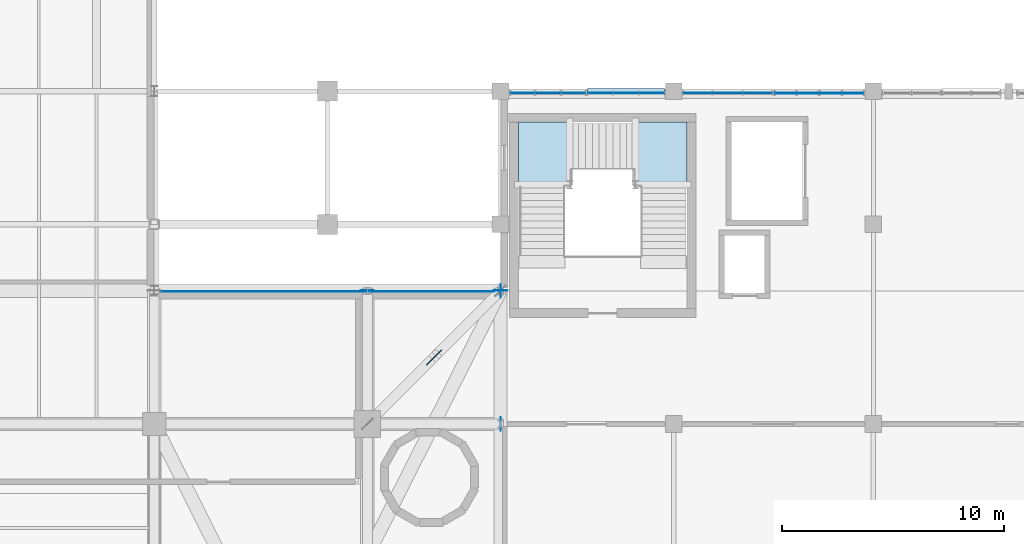
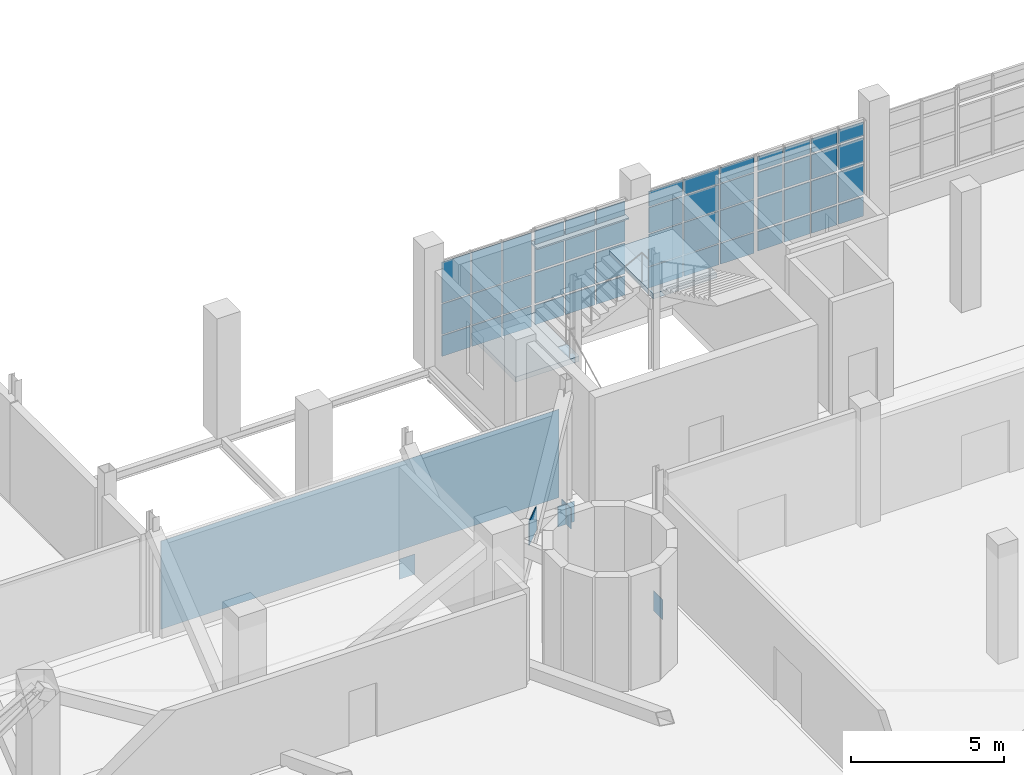
# One storey, part 96 of 127: 56 plates, 2 slabs, 5 elements without a shape of their own.
"""IFC4 building model written with IfcOpenShell, lengths in metres."""

from ifc_helpers import new_model, si_unit, derived_unit, direction, frame, origin, origin_2d, place, context, subcontext, project, spatial, polyline, rectangle, outline, extrude, material, layer, layer_set, type_object, element, aggregate, save


model = new_model("IFC4")

# Units and contexts
model_context = context("Model", 3, precision=1e-05, world=origin(), true_north=direction((0.0, 1.0)))
body_context = subcontext(model_context, "Body", "Model", "MODEL_VIEW")
ifc_project = project(units=[si_unit("LENGTHUNIT", "METRE"), si_unit("AREAUNIT", "SQUARE_METRE"), si_unit("VOLUMEUNIT", "CUBIC_METRE"), si_unit("PLANEANGLEUNIT", "RADIAN"), si_unit("MASSUNIT", "GRAM", prefix="KILO"), derived_unit("THERMALTRANSMITTANCEUNIT", [(si_unit("POWERUNIT", "WATT"), 1), (si_unit("LENGTHUNIT", "METRE"), -2), (si_unit("THERMODYNAMICTEMPERATUREUNIT", "KELVIN"), -1)])], contexts=[model_context])

# Site, building, storey
site_placement = place(None, origin())
site = spatial("IfcSite", under=ifc_project, at=site_placement, CompositionType="ELEMENT")
building_placement = place(site_placement, origin())
building = spatial("IfcBuilding", under=site, at=building_placement, Name="Nallur Shell Playhouse", CompositionType="ELEMENT")
storey_placement = place(building_placement, frame((0.0, 0.0, 5.39990234375)))
storey = spatial("IfcBuildingStorey", under=building, at=storey_placement, Name="L02", CompositionType="ELEMENT", Elevation=5.39990234375)

# Plates
ifc_material_1 = material(Name="Steel E350", Category="steel")
ifc_layer_1 = layer(ifc_material_1, 0.02001953125)
ifc_layer_set_1 = layer_set([ifc_layer_1], Name="Steel E350")
plate_type_1 = type_object("IfcPlateType", Name="PT-ENDCAP-20", PredefinedType="SHEET", material=ifc_layer_set_1)
plate_1_placement = place(storey_placement, frame((118.610107421875, 41.0, -1.080078125), z_axis=(0.0, 0.0, 1.0), x_axis=(1.0, 0.0, 0.0)))
element("IfcPlate", 1, at=plate_1_placement, inside=storey, type_object=plate_type_1, Name="Hollow end cap EC-TT-2-BC1", PredefinedType="SHEET", context=body_context, shape_type="SweptSolid", body=[
    extrude(rectangle(XDim=0.02001953125, YDim=0.60009765625, at=origin_2d()), origin(), (0.0, 0.0, 1.0), 0.800048828125),
])
plate_2_placement = place(storey_placement, frame((112.60009765625, 47.010009765625, -1.080078125), z_axis=(0.0, 0.0, 1.0), x_axis=(1.0, 0.0, 0.0)))
element("IfcPlate", 2, at=plate_2_placement, inside=storey, type_object=plate_type_1, Name="Hollow end cap EC-TT-8-BC1", PredefinedType="SHEET", context=body_context, shape_type="SweptSolid", body=[
    extrude(rectangle(XDim=0.60009765625, YDim=0.02001953125, at=origin_2d()), origin(), (0.0, 0.0, 1.0), 0.800048828125),
])
plate_3_placement = place(storey_placement, frame((118.610107421875, 47.0, -1.08984375), z_axis=(0.0, 0.0, 1.0), x_axis=(1.0, 0.0, 0.0)))
element("IfcPlate", 3, at=plate_3_placement, inside=storey, type_object=plate_type_1, Name="Hollow end cap EC-GB-L02-NB", PredefinedType="SHEET", context=body_context, shape_type="SweptSolid", body=[
    extrude(rectangle(XDim=0.02001953125, YDim=0.6201171875, at=origin_2d()), origin(), (0.0, 0.0, 1.0), 0.820068359375),
])
plate_4_placement = place(storey_placement, frame((118.60009765625, 47.010009765625, -1.08984375), z_axis=(0.0, 0.0, 1.0), x_axis=(1.0, 0.0, 0.0)))
element("IfcPlate", 4, at=plate_4_placement, inside=storey, type_object=plate_type_1, Name="Hollow end cap EC-GB-L02-EB", PredefinedType="SHEET", context=body_context, shape_type="SweptSolid", body=[
    extrude(rectangle(XDim=0.6201171875, YDim=0.02001953125, at=origin_2d()), origin(), (0.0, 0.0, 1.0), 0.820068359375),
])

# Curtain wall, plates
ifc_material_2 = material(Name="Anodised Aluminium Double-Glazed Facade System", Category="aluminium")
ifc_layer_2 = layer(ifc_material_2, 0.172119140625)
ifc_layer_set_2 = layer_set([ifc_layer_2], Name="Anodised Aluminium Double-Glazed Facade System")
curtain_wall_type_1 = type_object("IfcCurtainWallType", Name="CW-UNIT-27", PredefinedType="NOTDEFINED", material=ifc_layer_set_2)
curtain_wall_1_placement = place(storey_placement, origin())
curtain_wall_1 = element("IfcCurtainWall", 5, at=curtain_wall_1_placement, inside=storey, type_object=curtain_wall_type_1, Name="Unitised curtain wall CW-027 (L02)", PredefinedType="NOTDEFINED")
ifc_material_3 = material(Name="Solar-Control Low-E Laminated Insulating Glass", Category="glass")
ifc_layer_3 = layer(ifc_material_3, 0.030029296875)
ifc_layer_set_3 = layer_set([ifc_layer_3], Name="Solar-Control Low-E Laminated Insulating Glass")
plate_type_2 = type_object("IfcPlateType", Name="PT-GLZ-03", PredefinedType="CURTAIN_PANEL", material=ifc_layer_set_3)
plate_5_placement = place(storey_placement, frame((119.587158203125, 55.909912109375, 0.05712890625), z_axis=(0.0, 0.0, 1.0), x_axis=(1.0, 0.0, 0.0)))
plate_5 = element("IfcPlate", 6, at=plate_5_placement, type_object=plate_type_2, Name="CW-27 panel 1.1", PredefinedType="CURTAIN_PANEL", context=body_context, shape_type="SweptSolid", body=[
    extrude(rectangle(XDim=1.07421875, YDim=0.030029296875, at=origin_2d()), origin(), (0.0, 0.0, 1.0), 0.818603515625),
])
plate_6_placement = place(storey_placement, frame((119.587158203125, 55.909912109375, 0.92431640625), z_axis=(0.0, 0.0, 1.0), x_axis=(1.0, 0.0, 0.0)))
plate_6 = element("IfcPlate", 7, at=plate_6_placement, type_object=plate_type_2, Name="CW-27 panel 1.2", PredefinedType="CURTAIN_PANEL", context=body_context, shape_type="SweptSolid", body=[
    extrude(rectangle(XDim=1.07421875, YDim=0.030029296875, at=origin_2d()), origin(), (0.0, 0.0, 1.0), 1.215087890625),
])
plate_7_placement = place(storey_placement, frame((119.587158203125, 55.909912109375, 2.1884765625), z_axis=(0.0, 0.0, 1.0), x_axis=(1.0, 0.0, 0.0)))
plate_7 = element("IfcPlate", 8, at=plate_7_placement, type_object=plate_type_2, Name="CW-27 panel 1.3", PredefinedType="CURTAIN_PANEL", context=body_context, shape_type="SweptSolid", body=[
    extrude(rectangle(XDim=1.07421875, YDim=0.030029296875, at=origin_2d()), origin(), (0.0, 0.0, 1.0), 1.619384765625),
])
plate_8_placement = place(storey_placement, frame((120.739013671875, 55.909912109375, 0.05712890625), z_axis=(0.0, 0.0, 1.0), x_axis=(1.0, 0.0, 0.0)))
plate_8 = element("IfcPlate", 9, at=plate_8_placement, type_object=plate_type_2, Name="CW-27 panel 2.1", PredefinedType="CURTAIN_PANEL", context=body_context, shape_type="SweptSolid", body=[
    extrude(rectangle(XDim=1.111572265625, YDim=0.030029296875, at=origin_2d()), origin(), (0.0, 0.0, 1.0), 0.818603515625),
])
plate_9_placement = place(storey_placement, frame((120.739013671875, 55.909912109375, 0.92431640625), z_axis=(0.0, 0.0, 1.0), x_axis=(1.0, 0.0, 0.0)))
plate_9 = element("IfcPlate", 10, at=plate_9_placement, type_object=plate_type_2, Name="CW-27 panel 2.2", PredefinedType="CURTAIN_PANEL", context=body_context, shape_type="SweptSolid", body=[
    extrude(rectangle(XDim=1.111572265625, YDim=0.030029296875, at=origin_2d()), origin(), (0.0, 0.0, 1.0), 1.215087890625),
])
plate_10_placement = place(storey_placement, frame((120.739013671875, 55.909912109375, 2.1884765625), z_axis=(0.0, 0.0, 1.0), x_axis=(1.0, 0.0, 0.0)))
plate_10 = element("IfcPlate", 11, at=plate_10_placement, type_object=plate_type_2, Name="CW-27 panel 2.3", PredefinedType="CURTAIN_PANEL", context=body_context, shape_type="SweptSolid", body=[
    extrude(rectangle(XDim=1.111572265625, YDim=0.030029296875, at=origin_2d()), origin(), (0.0, 0.0, 1.0), 1.619384765625),
])
plate_11_placement = place(storey_placement, frame((121.890869140625, 55.909912109375, 0.05712890625), z_axis=(0.0, 0.0, 1.0), x_axis=(1.0, 0.0, 0.0)))
plate_11 = element("IfcPlate", 12, at=plate_11_placement, type_object=plate_type_2, Name="CW-27 panel 3.1", PredefinedType="CURTAIN_PANEL", context=body_context, shape_type="SweptSolid", body=[
    extrude(rectangle(XDim=1.07421875, YDim=0.030029296875, at=origin_2d()), origin(), (0.0, 0.0, 1.0), 0.818603515625),
])
plate_12_placement = place(storey_placement, frame((121.890869140625, 55.909912109375, 0.92431640625), z_axis=(0.0, 0.0, 1.0), x_axis=(1.0, 0.0, 0.0)))
plate_12 = element("IfcPlate", 13, at=plate_12_placement, type_object=plate_type_2, Name="CW-27 panel 3.2", PredefinedType="CURTAIN_PANEL", context=body_context, shape_type="SweptSolid", body=[
    extrude(rectangle(XDim=1.07421875, YDim=0.030029296875, at=origin_2d()), origin(), (0.0, 0.0, 1.0), 1.215087890625),
])
plate_13_placement = place(storey_placement, frame((121.890869140625, 55.909912109375, 2.1884765625), z_axis=(0.0, 0.0, 1.0), x_axis=(1.0, 0.0, 0.0)))
plate_13 = element("IfcPlate", 14, at=plate_13_placement, type_object=plate_type_2, Name="CW-27 panel 3.3", PredefinedType="CURTAIN_PANEL", context=body_context, shape_type="SweptSolid", body=[
    extrude(rectangle(XDim=1.07421875, YDim=0.030029296875, at=origin_2d()), origin(), (0.0, 0.0, 1.0), 1.619384765625),
])
aggregate(curtain_wall_1, [plate_5, plate_6, plate_7, plate_8, plate_9, plate_10, plate_11, plate_12, plate_13])

ifc_layer_4 = layer(ifc_material_2, 0.176025390625)
ifc_layer_set_4 = layer_set([ifc_layer_4], Name="Anodised Aluminium Double-Glazed Facade System")
curtain_wall_type_2 = type_object("IfcCurtainWallType", Name="CW-UNIT-28", PredefinedType="NOTDEFINED", material=ifc_layer_set_4)
curtain_wall_2_placement = place(storey_placement, origin())
curtain_wall_2 = element("IfcCurtainWall", 15, at=curtain_wall_2_placement, inside=storey, type_object=curtain_wall_type_2, Name="Unitised curtain wall CW-028 (L02)", PredefinedType="NOTDEFINED")
ifc_layer_5 = layer(ifc_material_3, 0.031982421875)
ifc_layer_set_5 = layer_set([ifc_layer_5], Name="Solar-Control Low-E Laminated Insulating Glass")
plate_type_3 = type_object("IfcPlateType", Name="PT-GLZ-04", PredefinedType="CURTAIN_PANEL", material=ifc_layer_set_5)
plate_14_placement = place(storey_placement, frame((123.106689453125, 55.909912109375, 0.092041015625), z_axis=(0.0, 0.0, 1.0), x_axis=(1.0, 0.0, 0.0)))
plate_14 = element("IfcPlate", 16, at=plate_14_placement, type_object=plate_type_3, Name="CW-28 panel 1.1", PredefinedType="CURTAIN_PANEL", context=body_context, shape_type="SweptSolid", body=[
    extrude(rectangle(XDim=1.089111328125, YDim=0.031982421875, at=origin_2d()), origin(), (0.0, 0.0, 1.0), 0.76611328125),
])
plate_15_placement = place(storey_placement, frame((123.106689453125, 55.909912109375, 0.94189453125), z_axis=(0.0, 0.0, 1.0), x_axis=(1.0, 0.0, 0.0)))
plate_15 = element("IfcPlate", 17, at=plate_15_placement, type_object=plate_type_3, Name="CW-28 panel 1.2", PredefinedType="CURTAIN_PANEL", context=body_context, shape_type="SweptSolid", body=[
    extrude(rectangle(XDim=1.089111328125, YDim=0.031982421875, at=origin_2d()), origin(), (0.0, 0.0, 1.0), 1.214111328125),
])
plate_16_placement = place(storey_placement, frame((123.106689453125, 55.909912109375, 2.240234375), z_axis=(0.0, 0.0, 1.0), x_axis=(1.0, 0.0, 0.0)))
plate_16 = element("IfcPlate", 18, at=plate_16_placement, type_object=plate_type_3, Name="CW-28 panel 1.3", PredefinedType="CURTAIN_PANEL", context=body_context, shape_type="SweptSolid", body=[
    extrude(rectangle(XDim=1.089111328125, YDim=0.031982421875, at=origin_2d()), origin(), (0.0, 0.0, 1.0), 0.962890625),
])
plate_17_placement = place(storey_placement, frame((123.106689453125, 55.909912109375, 3.287109375), z_axis=(0.0, 0.0, 1.0), x_axis=(1.0, 0.0, 0.0)))
plate_17 = element("IfcPlate", 19, at=plate_17_placement, type_object=plate_type_3, Name="CW-28 panel 1.4", PredefinedType="CURTAIN_PANEL", context=body_context, shape_type="SweptSolid", body=[
    extrude(rectangle(XDim=1.089111328125, YDim=0.031982421875, at=origin_2d()), origin(), (0.0, 0.0, 1.0), 0.5458984375),
])
plate_18_placement = place(storey_placement, frame((124.260986328125, 55.909912109375, 0.092041015625), z_axis=(0.0, 0.0, 1.0), x_axis=(1.0, 0.0, 0.0)))
plate_18 = element("IfcPlate", 20, at=plate_18_placement, type_object=plate_type_3, Name="CW-28 panel 2.1", PredefinedType="CURTAIN_PANEL", context=body_context, shape_type="SweptSolid", body=[
    extrude(rectangle(XDim=1.12158203125, YDim=0.031982421875, at=origin_2d()), origin(), (0.0, 0.0, 1.0), 0.76611328125),
])
plate_19_placement = place(storey_placement, frame((124.260986328125, 55.909912109375, 0.94189453125), z_axis=(0.0, 0.0, 1.0), x_axis=(1.0, 0.0, 0.0)))
plate_19 = element("IfcPlate", 21, at=plate_19_placement, type_object=plate_type_3, Name="CW-28 panel 2.2", PredefinedType="CURTAIN_PANEL", context=body_context, shape_type="SweptSolid", body=[
    extrude(rectangle(XDim=1.12158203125, YDim=0.031982421875, at=origin_2d()), origin(), (0.0, 0.0, 1.0), 1.214111328125),
])
plate_20_placement = place(storey_placement, frame((124.260986328125, 55.909912109375, 2.240234375), z_axis=(0.0, 0.0, 1.0), x_axis=(1.0, 0.0, 0.0)))
plate_20 = element("IfcPlate", 22, at=plate_20_placement, type_object=plate_type_3, Name="CW-28 panel 2.3", PredefinedType="CURTAIN_PANEL", context=body_context, shape_type="SweptSolid", body=[
    extrude(rectangle(XDim=1.12158203125, YDim=0.031982421875, at=origin_2d()), origin(), (0.0, 0.0, 1.0), 0.962890625),
])
plate_21_placement = place(storey_placement, frame((124.260986328125, 55.909912109375, 3.287109375), z_axis=(0.0, 0.0, 1.0), x_axis=(1.0, 0.0, 0.0)))
plate_21 = element("IfcPlate", 23, at=plate_21_placement, type_object=plate_type_3, Name="CW-28 panel 2.4", PredefinedType="CURTAIN_PANEL", context=body_context, shape_type="SweptSolid", body=[
    extrude(rectangle(XDim=1.12158203125, YDim=0.031982421875, at=origin_2d()), origin(), (0.0, 0.0, 1.0), 0.5458984375),
])
plate_22_placement = place(storey_placement, frame((125.41552734375, 55.909912109375, 0.092041015625), z_axis=(0.0, 0.0, 1.0), x_axis=(1.0, 0.0, 0.0)))
plate_22 = element("IfcPlate", 24, at=plate_22_placement, type_object=plate_type_3, Name="CW-28 panel 3.1", PredefinedType="CURTAIN_PANEL", context=body_context, shape_type="SweptSolid", body=[
    extrude(rectangle(XDim=1.089111328125, YDim=0.031982421875, at=origin_2d()), origin(), (0.0, 0.0, 1.0), 0.76611328125),
])
plate_23_placement = place(storey_placement, frame((125.41552734375, 55.909912109375, 0.94189453125), z_axis=(0.0, 0.0, 1.0), x_axis=(1.0, 0.0, 0.0)))
plate_23 = element("IfcPlate", 25, at=plate_23_placement, type_object=plate_type_3, Name="CW-28 panel 3.2", PredefinedType="CURTAIN_PANEL", context=body_context, shape_type="SweptSolid", body=[
    extrude(rectangle(XDim=1.089111328125, YDim=0.031982421875, at=origin_2d()), origin(), (0.0, 0.0, 1.0), 1.214111328125),
])
plate_24_placement = place(storey_placement, frame((125.41552734375, 55.909912109375, 2.240234375), z_axis=(0.0, 0.0, 1.0), x_axis=(1.0, 0.0, 0.0)))
plate_24 = element("IfcPlate", 26, at=plate_24_placement, type_object=plate_type_3, Name="CW-28 panel 3.3", PredefinedType="CURTAIN_PANEL", context=body_context, shape_type="SweptSolid", body=[
    extrude(rectangle(XDim=1.089111328125, YDim=0.031982421875, at=origin_2d()), origin(), (0.0, 0.0, 1.0), 0.962890625),
])
plate_25_placement = place(storey_placement, frame((125.41552734375, 55.909912109375, 3.287109375), z_axis=(0.0, 0.0, 1.0), x_axis=(1.0, 0.0, 0.0)))
plate_25 = element("IfcPlate", 27, at=plate_25_placement, type_object=plate_type_3, Name="CW-28 panel 3.4", PredefinedType="CURTAIN_PANEL", context=body_context, shape_type="SweptSolid", body=[
    extrude(rectangle(XDim=1.089111328125, YDim=0.031982421875, at=origin_2d()), origin(), (0.0, 0.0, 1.0), 0.5458984375),
])
aggregate(curtain_wall_2, [plate_14, plate_15, plate_16, plate_17, plate_18, plate_19, plate_20, plate_21, plate_22, plate_23, plate_24, plate_25])

ifc_layer_6 = layer(ifc_material_2, 0.179931640625)
ifc_layer_set_6 = layer_set([ifc_layer_6], Name="Anodised Aluminium Double-Glazed Facade System")
curtain_wall_type_3 = type_object("IfcCurtainWallType", Name="CW-UNIT-29", PredefinedType="NOTDEFINED", material=ifc_layer_set_6)
curtain_wall_3_placement = place(storey_placement, origin())
curtain_wall_3 = element("IfcCurtainWall", 28, at=curtain_wall_3_placement, inside=storey, type_object=curtain_wall_type_3, Name="Unitised curtain wall CW-029 (L02)", PredefinedType="NOTDEFINED")
ifc_layer_7 = layer(ifc_material_3, 0.033935546875)
ifc_layer_set_7 = layer_set([ifc_layer_7], Name="Solar-Control Low-E Laminated Insulating Glass")
plate_type_4 = type_object("IfcPlateType", Name="PT-GLZ-05", PredefinedType="CURTAIN_PANEL", material=ifc_layer_set_7)
plate_26_placement = place(storey_placement, frame((127.48828125, 55.909912109375, 0.05712890625), z_axis=(0.0, 0.0, 1.0), x_axis=(1.0, 0.0, 0.0)))
plate_26 = element("IfcPlate", 29, at=plate_26_placement, type_object=plate_type_4, Name="CW-29 panel 1.1", PredefinedType="CURTAIN_PANEL", context=body_context, shape_type="SweptSolid", body=[
    extrude(rectangle(XDim=1.2666015625, YDim=0.033935546875, at=origin_2d()), origin(), (0.0, 0.0, 1.0), 0.818603515625),
])
plate_27_placement = place(storey_placement, frame((127.48828125, 55.909912109375, 0.924560546875), z_axis=(0.0, 0.0, 1.0), x_axis=(1.0, 0.0, 0.0)))
plate_27 = element("IfcPlate", 30, at=plate_27_placement, type_object=plate_type_4, Name="CW-29 panel 1.2", PredefinedType="CURTAIN_PANEL", context=body_context, shape_type="SweptSolid", body=[
    extrude(rectangle(XDim=1.2666015625, YDim=0.033935546875, at=origin_2d()), origin(), (0.0, 0.0, 1.0), 1.26611328125),
])
plate_28_placement = place(storey_placement, frame((127.48828125, 55.909912109375, 2.23974609375), z_axis=(0.0, 0.0, 1.0), x_axis=(1.0, 0.0, 0.0)))
plate_28 = element("IfcPlate", 31, at=plate_28_placement, type_object=plate_type_4, Name="CW-29 panel 1.3", PredefinedType="CURTAIN_PANEL", context=body_context, shape_type="SweptSolid", body=[
    extrude(rectangle(XDim=1.2666015625, YDim=0.033935546875, at=origin_2d()), origin(), (0.0, 0.0, 1.0), 1.010986328125),
])
plate_29_placement = place(storey_placement, frame((127.48828125, 55.909912109375, 3.2998046875), z_axis=(0.0, 0.0, 1.0), x_axis=(1.0, 0.0, 0.0)))
plate_29 = element("IfcPlate", 32, at=plate_29_placement, type_object=plate_type_4, Name="CW-29 panel 1.4", PredefinedType="CURTAIN_PANEL", context=body_context, shape_type="SweptSolid", body=[
    extrude(rectangle(XDim=1.2666015625, YDim=0.033935546875, at=origin_2d()), origin(), (0.0, 0.0, 1.0), 0.598388671875),
])
plate_30_placement = place(storey_placement, frame((128.839111328125, 55.909912109375, 0.05712890625), z_axis=(0.0, 0.0, 1.0), x_axis=(1.0, 0.0, 0.0)))
plate_30 = element("IfcPlate", 33, at=plate_30_placement, type_object=plate_type_4, Name="CW-29 panel 2.1", PredefinedType="CURTAIN_PANEL", context=body_context, shape_type="SweptSolid", body=[
    extrude(rectangle(XDim=1.306640625, YDim=0.033935546875, at=origin_2d()), origin(), (0.0, 0.0, 1.0), 0.818603515625),
])
plate_31_placement = place(storey_placement, frame((128.839111328125, 55.909912109375, 0.924560546875), z_axis=(0.0, 0.0, 1.0), x_axis=(1.0, 0.0, 0.0)))
plate_31 = element("IfcPlate", 34, at=plate_31_placement, type_object=plate_type_4, Name="CW-29 panel 2.2", PredefinedType="CURTAIN_PANEL", context=body_context, shape_type="SweptSolid", body=[
    extrude(rectangle(XDim=1.306640625, YDim=0.033935546875, at=origin_2d()), origin(), (0.0, 0.0, 1.0), 1.26611328125),
])
plate_32_placement = place(storey_placement, frame((128.839111328125, 55.909912109375, 2.23974609375), z_axis=(0.0, 0.0, 1.0), x_axis=(1.0, 0.0, 0.0)))
plate_32 = element("IfcPlate", 35, at=plate_32_placement, type_object=plate_type_4, Name="CW-29 panel 2.3", PredefinedType="CURTAIN_PANEL", context=body_context, shape_type="SweptSolid", body=[
    extrude(rectangle(XDim=1.306640625, YDim=0.033935546875, at=origin_2d()), origin(), (0.0, 0.0, 1.0), 1.010986328125),
])
plate_33_placement = place(storey_placement, frame((128.839111328125, 55.909912109375, 3.2998046875), z_axis=(0.0, 0.0, 1.0), x_axis=(1.0, 0.0, 0.0)))
plate_33 = element("IfcPlate", 36, at=plate_33_placement, type_object=plate_type_4, Name="CW-29 panel 2.4", PredefinedType="CURTAIN_PANEL", context=body_context, shape_type="SweptSolid", body=[
    extrude(rectangle(XDim=1.306640625, YDim=0.033935546875, at=origin_2d()), origin(), (0.0, 0.0, 1.0), 0.598388671875),
])
plate_34_placement = place(storey_placement, frame((130.189697265625, 55.909912109375, 0.05712890625), z_axis=(0.0, 0.0, 1.0), x_axis=(1.0, 0.0, 0.0)))
plate_34 = element("IfcPlate", 37, at=plate_34_placement, type_object=plate_type_4, Name="CW-29 panel 3.1", PredefinedType="CURTAIN_PANEL", context=body_context, shape_type="SweptSolid", body=[
    extrude(rectangle(XDim=1.2666015625, YDim=0.033935546875, at=origin_2d()), origin(), (0.0, 0.0, 1.0), 0.818603515625),
])
plate_35_placement = place(storey_placement, frame((130.189697265625, 55.909912109375, 0.924560546875), z_axis=(0.0, 0.0, 1.0), x_axis=(1.0, 0.0, 0.0)))
plate_35 = element("IfcPlate", 38, at=plate_35_placement, type_object=plate_type_4, Name="CW-29 panel 3.2", PredefinedType="CURTAIN_PANEL", context=body_context, shape_type="SweptSolid", body=[
    extrude(rectangle(XDim=1.2666015625, YDim=0.033935546875, at=origin_2d()), origin(), (0.0, 0.0, 1.0), 1.26611328125),
])
plate_36_placement = place(storey_placement, frame((130.189697265625, 55.909912109375, 2.23974609375), z_axis=(0.0, 0.0, 1.0), x_axis=(1.0, 0.0, 0.0)))
plate_36 = element("IfcPlate", 39, at=plate_36_placement, type_object=plate_type_4, Name="CW-29 panel 3.3", PredefinedType="CURTAIN_PANEL", context=body_context, shape_type="SweptSolid", body=[
    extrude(rectangle(XDim=1.2666015625, YDim=0.033935546875, at=origin_2d()), origin(), (0.0, 0.0, 1.0), 1.010986328125),
])
plate_37_placement = place(storey_placement, frame((130.189697265625, 55.909912109375, 3.2998046875), z_axis=(0.0, 0.0, 1.0), x_axis=(1.0, 0.0, 0.0)))
plate_37 = element("IfcPlate", 40, at=plate_37_placement, type_object=plate_type_4, Name="CW-29 panel 3.4", PredefinedType="CURTAIN_PANEL", context=body_context, shape_type="SweptSolid", body=[
    extrude(rectangle(XDim=1.2666015625, YDim=0.033935546875, at=origin_2d()), origin(), (0.0, 0.0, 1.0), 0.598388671875),
])
aggregate(curtain_wall_3, [plate_26, plate_27, plate_28, plate_29, plate_30, plate_31, plate_32, plate_33, plate_34, plate_35, plate_36, plate_37])

ifc_layer_8 = layer(ifc_material_2, 0.159912109375)
ifc_layer_set_8 = layer_set([ifc_layer_8], Name="Anodised Aluminium Double-Glazed Facade System")
curtain_wall_type_4 = type_object("IfcCurtainWallType", Name="CW-UNIT-30", PredefinedType="NOTDEFINED", material=ifc_layer_set_8)
curtain_wall_4_placement = place(storey_placement, origin())
curtain_wall_4 = element("IfcCurtainWall", 41, at=curtain_wall_4_placement, inside=storey, type_object=curtain_wall_type_4, Name="Unitised curtain wall CW-030 (L02)", PredefinedType="NOTDEFINED")
ifc_layer_9 = layer(ifc_material_3, 0.035888671875)
ifc_layer_set_9 = layer_set([ifc_layer_9], Name="Solar-Control Low-E Laminated Insulating Glass")
plate_type_5 = type_object("IfcPlateType", Name="PT-GLZ-06", PredefinedType="CURTAIN_PANEL", material=ifc_layer_set_9)
plate_38_placement = place(storey_placement, frame((131.437744140625, 55.909912109375, 0.092041015625), z_axis=(0.0, 0.0, 1.0), x_axis=(1.0, 0.0, 0.0)))
plate_38 = element("IfcPlate", 42, at=plate_38_placement, type_object=plate_type_5, Name="CW-30 panel 1.1", PredefinedType="CURTAIN_PANEL", context=body_context, shape_type="SweptSolid", body=[
    extrude(rectangle(XDim=0.931396484375, YDim=0.035888671875, at=origin_2d()), origin(), (0.0, 0.0, 1.0), 0.76611328125),
])
plate_39_placement = place(storey_placement, frame((131.437744140625, 55.909912109375, 0.94189453125), z_axis=(0.0, 0.0, 1.0), x_axis=(1.0, 0.0, 0.0)))
plate_39 = element("IfcPlate", 43, at=plate_39_placement, type_object=plate_type_5, Name="CW-30 panel 1.2", PredefinedType="CURTAIN_PANEL", context=body_context, shape_type="SweptSolid", body=[
    extrude(rectangle(XDim=0.931396484375, YDim=0.035888671875, at=origin_2d()), origin(), (0.0, 0.0, 1.0), 1.219970703125),
])
plate_40_placement = place(storey_placement, frame((131.437744140625, 55.909912109375, 2.24609375), z_axis=(0.0, 0.0, 1.0), x_axis=(1.0, 0.0, 0.0)))
plate_40 = element("IfcPlate", 44, at=plate_40_placement, type_object=plate_type_5, Name="CW-30 panel 1.3", PredefinedType="CURTAIN_PANEL", context=body_context, shape_type="SweptSolid", body=[
    extrude(rectangle(XDim=0.931396484375, YDim=0.035888671875, at=origin_2d()), origin(), (0.0, 0.0, 1.0), 0.967041015625),
])
plate_41_placement = place(storey_placement, frame((131.437744140625, 55.909912109375, 3.297119140625), z_axis=(0.0, 0.0, 1.0), x_axis=(1.0, 0.0, 0.0)))
plate_41 = element("IfcPlate", 45, at=plate_41_placement, type_object=plate_type_5, Name="CW-30 panel 1.4", PredefinedType="CURTAIN_PANEL", context=body_context, shape_type="SweptSolid", body=[
    extrude(rectangle(XDim=0.931396484375, YDim=0.035888671875, at=origin_2d()), origin(), (0.0, 0.0, 1.0), 0.5458984375),
])
plate_42_placement = place(storey_placement, frame((132.447021484375, 55.909912109375, 0.092041015625), z_axis=(0.0, 0.0, 1.0), x_axis=(1.0, 0.0, 0.0)))
plate_42 = element("IfcPlate", 46, at=plate_42_placement, type_object=plate_type_5, Name="CW-30 panel 2.1", PredefinedType="CURTAIN_PANEL", context=body_context, shape_type="SweptSolid", body=[
    extrude(rectangle(XDim=0.968994140625, YDim=0.035888671875, at=origin_2d()), origin(), (0.0, 0.0, 1.0), 0.76611328125),
])
plate_43_placement = place(storey_placement, frame((132.447021484375, 55.909912109375, 0.94189453125), z_axis=(0.0, 0.0, 1.0), x_axis=(1.0, 0.0, 0.0)))
plate_43 = element("IfcPlate", 47, at=plate_43_placement, type_object=plate_type_5, Name="CW-30 panel 2.2", PredefinedType="CURTAIN_PANEL", context=body_context, shape_type="SweptSolid", body=[
    extrude(rectangle(XDim=0.968994140625, YDim=0.035888671875, at=origin_2d()), origin(), (0.0, 0.0, 1.0), 1.219970703125),
])
plate_44_placement = place(storey_placement, frame((132.447021484375, 55.909912109375, 2.24609375), z_axis=(0.0, 0.0, 1.0), x_axis=(1.0, 0.0, 0.0)))
plate_44 = element("IfcPlate", 48, at=plate_44_placement, type_object=plate_type_5, Name="CW-30 panel 2.3", PredefinedType="CURTAIN_PANEL", context=body_context, shape_type="SweptSolid", body=[
    extrude(rectangle(XDim=0.968994140625, YDim=0.035888671875, at=origin_2d()), origin(), (0.0, 0.0, 1.0), 0.967041015625),
])
plate_45_placement = place(storey_placement, frame((132.447021484375, 55.909912109375, 3.297119140625), z_axis=(0.0, 0.0, 1.0), x_axis=(1.0, 0.0, 0.0)))
plate_45 = element("IfcPlate", 49, at=plate_45_placement, type_object=plate_type_5, Name="CW-30 panel 2.4", PredefinedType="CURTAIN_PANEL", context=body_context, shape_type="SweptSolid", body=[
    extrude(rectangle(XDim=0.968994140625, YDim=0.035888671875, at=origin_2d()), origin(), (0.0, 0.0, 1.0), 0.5458984375),
])
plate_46_placement = place(storey_placement, frame((133.47509765625, 55.909912109375, 0.092041015625), z_axis=(0.0, 0.0, 1.0), x_axis=(1.0, 0.0, 0.0)))
plate_46 = element("IfcPlate", 50, at=plate_46_placement, type_object=plate_type_5, Name="CW-30 panel 3.1", PredefinedType="CURTAIN_PANEL", context=body_context, shape_type="SweptSolid", body=[
    extrude(rectangle(XDim=0.968994140625, YDim=0.035888671875, at=origin_2d()), origin(), (0.0, 0.0, 1.0), 0.76611328125),
])
plate_47_placement = place(storey_placement, frame((133.47509765625, 55.909912109375, 0.94189453125), z_axis=(0.0, 0.0, 1.0), x_axis=(1.0, 0.0, 0.0)))
plate_47 = element("IfcPlate", 51, at=plate_47_placement, type_object=plate_type_5, Name="CW-30 panel 3.2", PredefinedType="CURTAIN_PANEL", context=body_context, shape_type="SweptSolid", body=[
    extrude(rectangle(XDim=0.968994140625, YDim=0.035888671875, at=origin_2d()), origin(), (0.0, 0.0, 1.0), 1.219970703125),
])
plate_48_placement = place(storey_placement, frame((133.47509765625, 55.909912109375, 2.24609375), z_axis=(0.0, 0.0, 1.0), x_axis=(1.0, 0.0, 0.0)))
plate_48 = element("IfcPlate", 52, at=plate_48_placement, type_object=plate_type_5, Name="CW-30 panel 3.3", PredefinedType="CURTAIN_PANEL", context=body_context, shape_type="SweptSolid", body=[
    extrude(rectangle(XDim=0.968994140625, YDim=0.035888671875, at=origin_2d()), origin(), (0.0, 0.0, 1.0), 0.967041015625),
])
plate_49_placement = place(storey_placement, frame((133.47509765625, 55.909912109375, 3.297119140625), z_axis=(0.0, 0.0, 1.0), x_axis=(1.0, 0.0, 0.0)))
plate_49 = element("IfcPlate", 53, at=plate_49_placement, type_object=plate_type_5, Name="CW-30 panel 3.4", PredefinedType="CURTAIN_PANEL", context=body_context, shape_type="SweptSolid", body=[
    extrude(rectangle(XDim=0.968994140625, YDim=0.035888671875, at=origin_2d()), origin(), (0.0, 0.0, 1.0), 0.5458984375),
])
plate_50_placement = place(storey_placement, frame((134.484130859375, 55.909912109375, 0.092041015625), z_axis=(0.0, 0.0, 1.0), x_axis=(1.0, 0.0, 0.0)))
plate_50 = element("IfcPlate", 54, at=plate_50_placement, type_object=plate_type_5, Name="CW-30 panel 4.1", PredefinedType="CURTAIN_PANEL", context=body_context, shape_type="SweptSolid", body=[
    extrude(rectangle(XDim=0.931396484375, YDim=0.035888671875, at=origin_2d()), origin(), (0.0, 0.0, 1.0), 0.76611328125),
])
plate_51_placement = place(storey_placement, frame((134.484130859375, 55.909912109375, 0.94189453125), z_axis=(0.0, 0.0, 1.0), x_axis=(1.0, 0.0, 0.0)))
plate_51 = element("IfcPlate", 55, at=plate_51_placement, type_object=plate_type_5, Name="CW-30 panel 4.2", PredefinedType="CURTAIN_PANEL", context=body_context, shape_type="SweptSolid", body=[
    extrude(rectangle(XDim=0.931396484375, YDim=0.035888671875, at=origin_2d()), origin(), (0.0, 0.0, 1.0), 1.219970703125),
])
plate_52_placement = place(storey_placement, frame((134.484130859375, 55.909912109375, 2.24609375), z_axis=(0.0, 0.0, 1.0), x_axis=(1.0, 0.0, 0.0)))
plate_52 = element("IfcPlate", 56, at=plate_52_placement, type_object=plate_type_5, Name="CW-30 panel 4.3", PredefinedType="CURTAIN_PANEL", context=body_context, shape_type="SweptSolid", body=[
    extrude(rectangle(XDim=0.931396484375, YDim=0.035888671875, at=origin_2d()), origin(), (0.0, 0.0, 1.0), 0.967041015625),
])
plate_53_placement = place(storey_placement, frame((134.484130859375, 55.909912109375, 3.297119140625), z_axis=(0.0, 0.0, 1.0), x_axis=(1.0, 0.0, 0.0)))
plate_53 = element("IfcPlate", 57, at=plate_53_placement, type_object=plate_type_5, Name="CW-30 panel 4.4", PredefinedType="CURTAIN_PANEL", context=body_context, shape_type="SweptSolid", body=[
    extrude(rectangle(XDim=0.931396484375, YDim=0.035888671875, at=origin_2d()), origin(), (0.0, 0.0, 1.0), 0.5458984375),
])
aggregate(curtain_wall_4, [plate_38, plate_39, plate_40, plate_41, plate_42, plate_43, plate_44, plate_45, plate_46, plate_47, plate_48, plate_49, plate_50, plate_51, plate_52, plate_53])

# Plates
ifc_material_4 = material(Name="Gold-Anodised Perforated Aluminium Acoustic Cladding", Category="aluminium")
ifc_layer_10 = layer(ifc_material_4, 0.008056640625)
ifc_layer_set_10 = layer_set([ifc_layer_10], Name="Gold-Anodised Perforated Aluminium Acoustic Cladding")
plate_type_6 = type_object("IfcPlateType", Name="PT-GOLD-02", PredefinedType="SHEET", material=ifc_layer_set_10)
plate_54_placement = place(storey_placement, frame((110.800048828125, 46.97802734375, 0.10009765625), z_axis=(0.0, 0.0, 1.0), x_axis=(1.0, 0.0, 0.0)))
element("IfcPlate", 58, at=plate_54_placement, inside=storey, type_object=plate_type_6, Name="Gold-anodised perforated aluminium cladding GC-002", PredefinedType="SHEET", context=body_context, shape_type="SweptSolid", body=[
    extrude(rectangle(XDim=15.030029296875, YDim=0.01611328125, at=origin_2d()), origin(), (0.0, 0.0, 1.0), 3.52490234375),
])
ifc_layer_11 = layer(ifc_material_1, 0.034912109375)
ifc_layer_set_11 = layer_set([ifc_layer_11], Name="Steel E350")
plate_type_7 = type_object("IfcPlateType", Name="PT-GUSSET-35", PredefinedType="USERDEFINED", material=ifc_layer_set_11)
plate_55_placement = place(storey_placement, frame((115.60009765625, 44.0, 1.2548828125), z_axis=(0.0, 0.0, 1.0), x_axis=(0.707106781187, 0.707106781187, 0.0)))
element("IfcPlate", 59, at=plate_55_placement, inside=storey, type_object=plate_type_7, Name="Corner transfer TTC-NE X-brace crossing gusset node plate", ObjectType="GUSSET PLATE", PredefinedType="USERDEFINED", context=body_context, shape_type="SweptSolid", body=[
    extrude(rectangle(XDim=0.949951171875, YDim=0.034912109375, at=origin_2d()), origin(), (0.0, 0.0, 1.0), 0.949951171875),
])
ifc_material_5 = material(Name="Terracotta & Gold-Anodised Monsoon Sunshade Blade", Category="masonry")
ifc_layer_12 = layer(ifc_material_5, 0.054931640625)
ifc_layer_set_12 = layer_set([ifc_layer_12], Name="Terracotta & Gold-Anodised Monsoon Sunshade Blade")
plate_type_8 = type_object("IfcPlateType", Name="PT-LOUVRE-03", PredefinedType="USERDEFINED", material=ifc_layer_set_12)
plate_56_placement = place(storey_placement, frame((124.260986328125, 55.909912109375, 3.2177734375), z_axis=(0.0, 0.0, 1.0), x_axis=(1.0, 0.0, 0.0)))
element("IfcPlate", 60, at=plate_56_placement, inside=storey, type_object=plate_type_8, Name="Monsoon sunshade louvre blade LV-007", ObjectType="SUNSHADE LOUVRE", PredefinedType="USERDEFINED", context=body_context, shape_type="SweptSolid", body=[
    extrude(rectangle(XDim=3.471923828125, YDim=0.419921875, at=origin_2d()), origin(), (0.0, 0.0, 1.0), 0.054931640625),
])

# Stair, slabs
ifc_material_6 = material(Name="Concrete M35", Category="concrete")
stair_type = type_object("IfcStairType", Name="ST-CORE-48", PredefinedType="QUARTER_TURN_STAIR", material=ifc_material_6)
stair_placement = place(storey_placement, origin())
stair = element("IfcStair", 61, at=stair_placement, inside=storey, type_object=stair_type, Name="Core JC-2 exit stair ST-02-L02 (L02 to L03)", PredefinedType="QUARTER_TURN_STAIR")
ifc_layer_13 = layer(ifc_material_6, 0.199951171875)
ifc_layer_set_13 = layer_set([ifc_layer_13], Name="Concrete M35")
slab_type = type_object("IfcSlabType", Name="SL-LANDING-200", PredefinedType="LANDING", material=ifc_layer_set_13)
slab_1_placement = place(storey_placement, frame((0.0, 0.0, 1.4501953125)))
slab_1 = element("IfcSlab", 62, at=slab_1_placement, type_object=slab_type, Name="ST-48 landing 1", PredefinedType="LANDING", context=body_context, shape_type="SweptSolid", body=[
    extrude(outline(polyline([(119.39990234375, 51.699951171875), (121.804931640625, 51.699951171875), (121.804931640625, 54.60009765625), (119.39990234375, 54.60009765625), (119.39990234375, 51.699951171875)])), origin(), (0.0, 0.0, 1.0), 0.199951171875),
])
slab_2_placement = place(storey_placement, frame((0.0, 0.0, 2.9501953125)))
slab_2 = element("IfcSlab", 63, at=slab_2_placement, type_object=slab_type, Name="ST-48 landing 2", PredefinedType="LANDING", context=body_context, shape_type="SweptSolid", body=[
    extrude(outline(polyline([(124.594970703125, 51.699951171875), (127.0, 51.699951171875), (127.0, 54.60009765625), (124.594970703125, 54.60009765625), (124.594970703125, 51.699951171875)])), origin(), (0.0, 0.0, 1.0), 0.199951171875),
])
aggregate(stair, [slab_1, slab_2])

save(model, "model.ifc")
